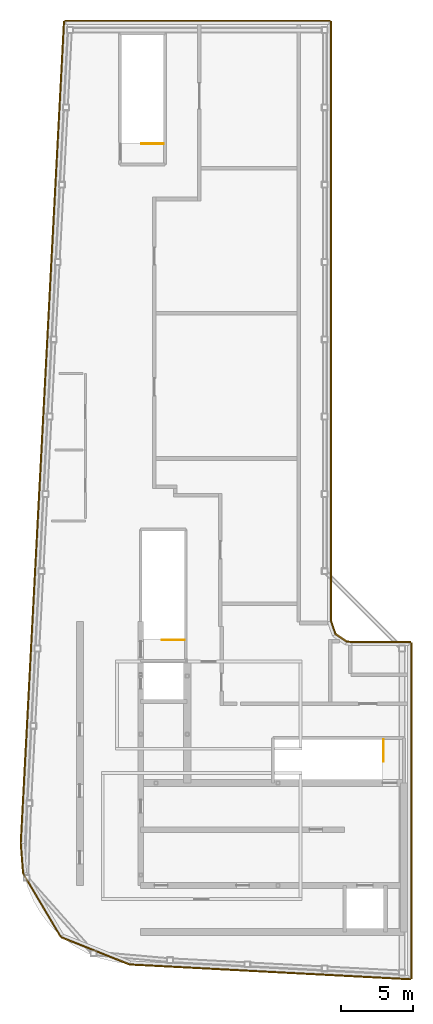
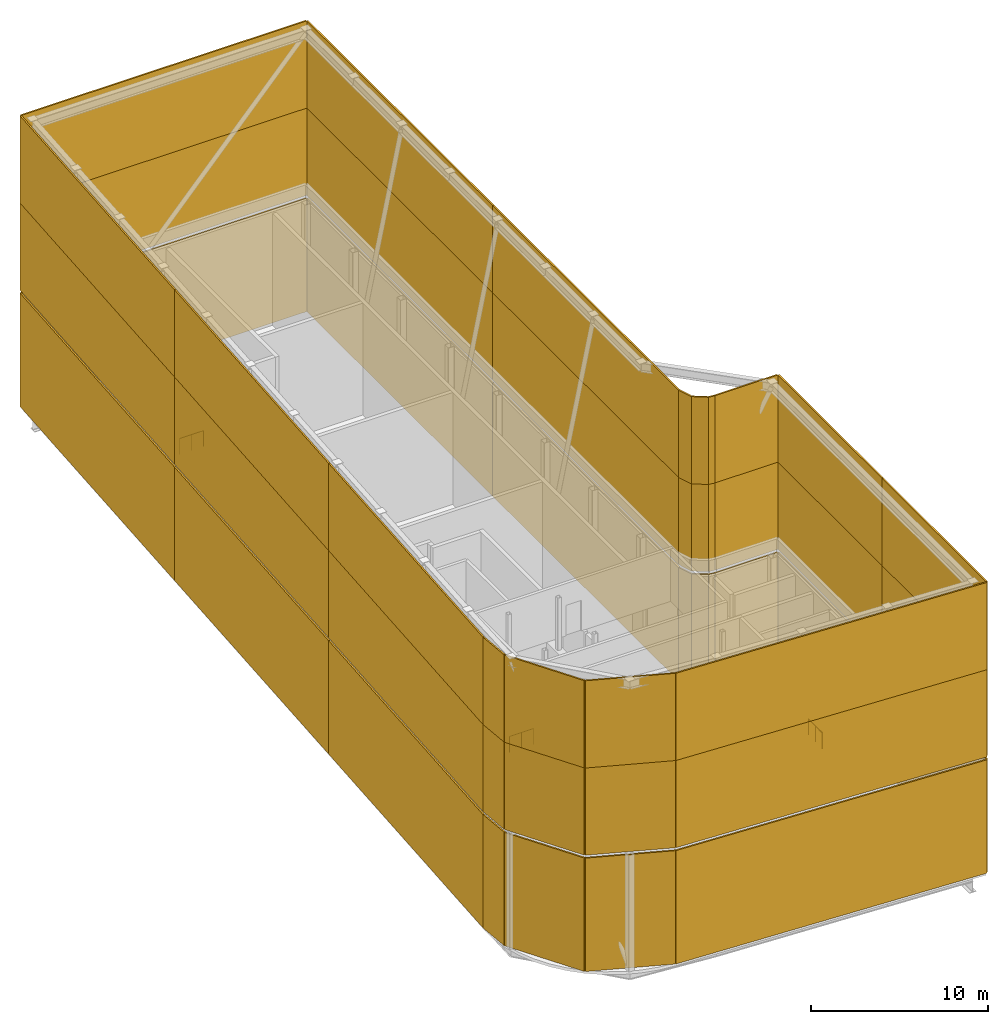
# One storey, part 7 of 7: 48 shading devices, 3 railings.
"""IFC4 building model written with IfcOpenShell, lengths in metres."""

from ifc_helpers import new_model, si_unit, direction, frame, origin, origin_2d, place, context, subcontext, project, spatial, rectangle, circle, extrude, material, layer, layer_set, type_object, element, save


model = new_model("IFC4")

# Units and contexts
model_context = context("Model", 3, precision=1e-05, world=origin(), true_north=direction((0.0, 1.0)))
body_context = subcontext(model_context, "Body", "Model", "MODEL_VIEW")
ifc_project = project(units=[si_unit("LENGTHUNIT", "METRE"), si_unit("AREAUNIT", "SQUARE_METRE"), si_unit("VOLUMEUNIT", "CUBIC_METRE"), si_unit("PLANEANGLEUNIT", "RADIAN"), si_unit("MASSUNIT", "GRAM", prefix="KILO")], contexts=[model_context])

# Site, building, storey
site_placement = place(None, origin())
site = spatial("IfcSite", under=ifc_project, at=site_placement, CompositionType="ELEMENT")
building_placement = place(site_placement, origin())
building = spatial("IfcBuilding", under=site, at=building_placement, Name="Kheshtan School and Residences Tower", CompositionType="ELEMENT")
storey_placement = place(building_placement, frame((0.0, 0.0, 404.800048828125)))
storey = spatial("IfcBuildingStorey", under=building, at=storey_placement, Name="L94", CompositionType="ELEMENT", Elevation=404.800048828125)

# Shading devices
ifc_material_1 = material(Name="Terracotta lattice, extruded ceramic", Category="masonry")
ifc_layer_1 = layer(ifc_material_1, 0.10009765625)
ifc_layer_set_1 = layer_set([ifc_layer_1], Name="Crown screen, perforated terracotta")
shading_device_type_1 = type_object("IfcShadingDeviceType", Name="Crown screen, perforated terracotta", PredefinedType="USERDEFINED", material=ifc_layer_set_1)
for number, where, z_axis, x_axis, name in (
    (1, (48.201904296875, 47.06005859375, 8.0), (0.0, 0.0, 1.0), (0.321505572714, -0.946907686479, 0.0), "Crown screen 1.1.1"),
    (2, (48.201904296875, 47.06005859375, 14.0), (0.0, 0.0, 1.0), (0.321505572714, -0.946907686479, 0.0), "Crown screen 1.1.2"),
):
    element("IfcShadingDevice", number, at=place(storey_placement, frame(where, z_axis=z_axis, x_axis=x_axis)), inside=storey, type_object=shading_device_type_1, Name=name, ObjectType="SCREEN", PredefinedType="USERDEFINED", context=body_context, shape_type="SweptSolid", body=[
        extrude(rectangle(XDim=0.964111328125, YDim=0.10009765625, at=origin_2d()), origin(), (0.0, 0.0, 1.0), 6.0),
    ])
for number, where, z_axis, x_axis, name in (
    (3, (48.739013671875, 46.361083984375, 8.0), (0.0, 0.0, 1.0), (0.831411428565, -0.555657301267, 0.0), "Crown screen 2.1.1"),
    (4, (48.739013671875, 46.361083984375, 14.0), (0.0, 0.0, 1.0), (0.831411428565, -0.555657301267, 0.0), "Crown screen 2.1.2"),
):
    element("IfcShadingDevice", number, at=place(storey_placement, frame(where, z_axis=z_axis, x_axis=x_axis)), inside=storey, type_object=shading_device_type_1, Name=name, ObjectType="SCREEN", PredefinedType="USERDEFINED", context=body_context, shape_type="SweptSolid", body=[
        extrude(rectangle(XDim=0.965087890625, YDim=0.10009765625, at=origin_2d()), origin(), (0.0, 0.0, 1.0), 6.0),
    ])
for number, where, z_axis, x_axis, name in (
    (5, (49.31298828125, 46.074951171875, 8.0), (0.0, 0.0, 1.0), (0.991472176971, -0.130318541633, 0.0), "Crown screen 3.1.1"),
    (6, (49.31298828125, 46.074951171875, 14.0), (0.0, 0.0, 1.0), (0.991472176971, -0.130318541633, 0.0), "Crown screen 3.1.2"),
):
    element("IfcShadingDevice", number, at=place(storey_placement, frame(where, z_axis=z_axis, x_axis=x_axis)), inside=storey, type_object=shading_device_type_1, Name=name, ObjectType="SCREEN", PredefinedType="USERDEFINED", context=body_context, shape_type="SweptSolid", body=[
        extrude(rectangle(XDim=0.39111328125, YDim=0.10009765625, at=origin_2d()), origin(), (0.0, 0.0, 1.0), 6.0),
    ])
for number, where, z_axis, x_axis, name in (
    (7, (51.550048828125, 46.050048828125, 8.0), (0.0, 0.0, 1.0), (1.0, 0.0, 0.0), "Crown screen 4.1.1"),
    (8, (51.550048828125, 46.050048828125, 14.0), (0.0, 0.0, 1.0), (1.0, 0.0, 0.0), "Crown screen 4.1.2"),
):
    element("IfcShadingDevice", number, at=place(storey_placement, frame(where, z_axis=z_axis, x_axis=x_axis)), inside=storey, type_object=shading_device_type_1, Name=name, ObjectType="SCREEN", PredefinedType="USERDEFINED", context=body_context, shape_type="SweptSolid", body=[
        extrude(rectangle(XDim=4.10009765625, YDim=0.10009765625, at=origin_2d()), origin(), (0.0, 0.0, 1.0), 6.0),
    ])
for number, where, z_axis, x_axis, name in (
    (9, (53.64990234375, 40.136962890625, 8.0), (0.0, 0.0, 1.0), (0.0, -1.0, 0.0), "Crown screen 5.1.1"),
    (10, (53.64990234375, 40.136962890625, 14.0), (0.0, 0.0, 1.0), (0.0, -1.0, 0.0), "Crown screen 5.1.2"),
):
    element("IfcShadingDevice", number, at=place(storey_placement, frame(where, z_axis=z_axis, x_axis=x_axis)), inside=storey, type_object=shading_device_type_1, Name=name, ObjectType="SCREEN", PredefinedType="USERDEFINED", context=body_context, shape_type="SweptSolid", body=[
        extrude(rectangle(XDim=11.72705078125, YDim=0.10009765625, at=origin_2d()), origin(), (0.0, 0.0, 1.0), 6.0),
    ])
for number, where, z_axis, x_axis, name in (
    (11, (53.64990234375, 28.409912109375, 8.0), (0.0, 0.0, 1.0), (0.0, -1.0, 0.0), "Crown screen 5.2.1"),
    (12, (53.64990234375, 28.409912109375, 14.0), (0.0, 0.0, 1.0), (0.0, -1.0, 0.0), "Crown screen 5.2.2"),
):
    element("IfcShadingDevice", number, at=place(storey_placement, frame(where, z_axis=z_axis, x_axis=x_axis)), inside=storey, type_object=shading_device_type_1, Name=name, ObjectType="SCREEN", PredefinedType="USERDEFINED", context=body_context, shape_type="SweptSolid", body=[
        extrude(rectangle(XDim=11.72607421875, YDim=0.10009765625, at=origin_2d()), origin(), (0.0, 0.0, 1.0), 6.0),
    ])
for number, where, z_axis, x_axis, name in (
    (13, (43.7919921875, 23.013916015625, 8.0), (0.0, 0.0, 1.0), (-0.998615799011, 0.052597395047, 0.0), "Crown screen 6.1.1"),
    (14, (43.7919921875, 23.013916015625, 14.0), (0.0, 0.0, 1.0), (-0.998615799011, 0.052597395047, 0.0), "Crown screen 6.1.2"),
):
    element("IfcShadingDevice", number, at=place(storey_placement, frame(where, z_axis=z_axis, x_axis=x_axis)), inside=storey, type_object=shading_device_type_1, Name=name, ObjectType="SCREEN", PredefinedType="USERDEFINED", context=body_context, shape_type="SweptSolid", body=[
        extrude(rectangle(XDim=19.637939453125, YDim=0.10009765625, at=origin_2d()), origin(), (0.0, 0.0, 1.0), 6.0),
    ])
for number, where, z_axis, x_axis, name in (
    (15, (31.58203125, 24.487060546875, 8.0), (0.0, 0.0, 1.0), (-0.928796617411, 0.370589858854, 0.0), "Crown screen 7.1.1"),
    (16, (31.58203125, 24.487060546875, 14.0), (0.0, 0.0, 1.0), (-0.928796617411, 0.370589858854, 0.0), "Crown screen 7.1.2"),
    (17, (27.85498046875, 27.6708984375, 8.0), (0.0, 0.0, 1.0), (-0.51097806284, 0.859593752476, 0.0), "Crown screen 8.1.1"),
    (18, (27.85498046875, 27.6708984375, 14.0), (0.0, 0.0, 1.0), (-0.51097806284, 0.859593752476, 0.0), "Crown screen 8.1.2"),
):
    element("IfcShadingDevice", number, at=place(storey_placement, frame(where, z_axis=z_axis, x_axis=x_axis)), inside=storey, type_object=shading_device_type_1, Name=name, ObjectType="SCREEN", PredefinedType="USERDEFINED", context=body_context, shape_type="SweptSolid", body=[
        extrude(rectangle(XDim=5.14306640625, YDim=0.10009765625, at=origin_2d()), origin(), (0.0, 0.0, 1.0), 6.0),
    ])
for number, where, z_axis, x_axis, name in (
    (19, (26.451904296875, 30.944091796875, 8.0), (0.0, 0.0, 1.0), (-0.078528693496, 0.996911853826, 0.0), "Crown screen 9.1.1"),
    (20, (26.451904296875, 30.944091796875, 14.0), (0.0, 0.0, 1.0), (-0.078528693496, 0.996911853826, 0.0), "Crown screen 9.1.2"),
):
    element("IfcShadingDevice", number, at=place(storey_placement, frame(where, z_axis=z_axis, x_axis=x_axis)), inside=storey, type_object=shading_device_type_1, Name=name, ObjectType="SCREEN", PredefinedType="USERDEFINED", context=body_context, shape_type="SweptSolid", body=[
        extrude(rectangle(XDim=2.087890625, YDim=0.10009765625, at=origin_2d()), origin(), (0.0, 0.0, 1.0), 6.0),
    ])
for number, where, z_axis, x_axis, name in (
    (21, (26.8740234375, 41.56005859375, 8.0), (0.0, 0.0, 1.0), (0.052562536748, 0.998617634398, 0.0), "Crown screen 10.1.1"),
    (22, (26.8740234375, 41.56005859375, 14.0), (0.0, 0.0, 1.0), (0.052562536748, 0.998617634398, 0.0), "Crown screen 10.1.2"),
    (23, (27.881103515625, 60.697021484375, 8.0), (0.0, 0.0, 1.0), (0.052562536748, 0.998617634398, 0.0), "Crown screen 10.2.1"),
    (24, (27.881103515625, 60.697021484375, 14.0), (0.0, 0.0, 1.0), (0.052562536748, 0.998617634398, 0.0), "Crown screen 10.2.2"),
    (25, (28.887939453125, 79.833984375, 8.0), (0.0, 0.0, 1.0), (0.052562536748, 0.998617634398, 0.0), "Crown screen 10.3.1"),
    (26, (28.887939453125, 79.833984375, 14.0), (0.0, 0.0, 1.0), (0.052562536748, 0.998617634398, 0.0), "Crown screen 10.3.2"),
):
    element("IfcShadingDevice", number, at=place(storey_placement, frame(where, z_axis=z_axis, x_axis=x_axis)), inside=storey, type_object=shading_device_type_1, Name=name, ObjectType="SCREEN", PredefinedType="USERDEFINED", context=body_context, shape_type="SweptSolid", body=[
        extrude(rectangle(XDim=19.1630859375, YDim=0.10009765625, at=origin_2d()), origin(), (0.0, 0.0, 1.0), 6.0),
    ])
for number, where, z_axis, x_axis, name in (
    (27, (38.720947265625, 89.449951171875, 8.0), (0.0, 0.0, 1.0), (1.0, 0.0, 0.0), "Crown screen 11.1.1"),
    (28, (38.720947265625, 89.449951171875, 14.0), (0.0, 0.0, 1.0), (1.0, 0.0, 0.0), "Crown screen 11.1.2"),
):
    element("IfcShadingDevice", number, at=place(storey_placement, frame(where, z_axis=z_axis, x_axis=x_axis)), inside=storey, type_object=shading_device_type_1, Name=name, ObjectType="SCREEN", PredefinedType="USERDEFINED", context=body_context, shape_type="SweptSolid", body=[
        extrude(rectangle(XDim=18.55810546875, YDim=0.10009765625, at=origin_2d()), origin(), (0.0, 0.0, 1.0), 6.0),
    ])
for number, where, z_axis, x_axis, name in (
    (29, (48.050048828125, 78.925048828125, 8.0), (0.0, 0.0, 1.0), (0.0, -1.0, 0.0), "Crown screen 12.1.1"),
    (30, (48.050048828125, 78.925048828125, 14.0), (0.0, 0.0, 1.0), (0.0, -1.0, 0.0), "Crown screen 12.1.2"),
    (31, (48.050048828125, 57.97509765625, 8.0), (0.0, 0.0, 1.0), (0.0, -1.0, 0.0), "Crown screen 12.2.1"),
    (32, (48.050048828125, 57.97509765625, 14.0), (0.0, 0.0, 1.0), (0.0, -1.0, 0.0), "Crown screen 12.2.2"),
):
    element("IfcShadingDevice", number, at=place(storey_placement, frame(where, z_axis=z_axis, x_axis=x_axis)), inside=storey, type_object=shading_device_type_1, Name=name, ObjectType="SCREEN", PredefinedType="USERDEFINED", context=body_context, shape_type="SweptSolid", body=[
        extrude(rectangle(XDim=20.949951171875, YDim=0.10009765625, at=origin_2d()), origin(), (0.0, 0.0, 1.0), 6.0),
    ])
ifc_material_2 = material(Name="Terracotta louvre blades", Category="masonry")
ifc_layer_2 = layer(ifc_material_2, 0.10009765625)
ifc_layer_set_2 = layer_set([ifc_layer_2], Name="Plant louvre screen")
shading_device_type_2 = type_object("IfcShadingDeviceType", Name="Plant louvre screen", PredefinedType="JALOUSIE", material=ifc_layer_set_2)
shading_device_1_placement = place(storey_placement, frame((48.201904296875, 47.06005859375, 0.0), z_axis=(0.0, 0.0, 1.0), x_axis=(0.321505572714, -0.946907686479, 0.0)))
element("IfcShadingDevice", 33, at=shading_device_1_placement, inside=storey, type_object=shading_device_type_2, Name="Plant louvre L94 1.1", PredefinedType="JALOUSIE", context=body_context, shape_type="SweptSolid", body=[
    extrude(rectangle(XDim=0.964111328125, YDim=0.10009765625, at=origin_2d()), origin(), (0.0, 0.0, 1.0), 7.800048828125),
])
shading_device_2_placement = place(storey_placement, frame((48.739013671875, 46.361083984375, 0.0), z_axis=(0.0, 0.0, 1.0), x_axis=(0.831411428565, -0.555657301267, 0.0)))
element("IfcShadingDevice", 34, at=shading_device_2_placement, inside=storey, type_object=shading_device_type_2, Name="Plant louvre L94 2.1", PredefinedType="JALOUSIE", context=body_context, shape_type="SweptSolid", body=[
    extrude(rectangle(XDim=0.965087890625, YDim=0.10009765625, at=origin_2d()), origin(), (0.0, 0.0, 1.0), 7.800048828125),
])
shading_device_3_placement = place(storey_placement, frame((49.31298828125, 46.074951171875, 0.0), z_axis=(0.0, 0.0, 1.0), x_axis=(0.991472176971, -0.130318541633, 0.0)))
element("IfcShadingDevice", 35, at=shading_device_3_placement, inside=storey, type_object=shading_device_type_2, Name="Plant louvre L94 3.1", PredefinedType="JALOUSIE", context=body_context, shape_type="SweptSolid", body=[
    extrude(rectangle(XDim=0.39111328125, YDim=0.10009765625, at=origin_2d()), origin(), (0.0, 0.0, 1.0), 7.800048828125),
])
shading_device_4_placement = place(storey_placement, frame((51.550048828125, 46.050048828125, 0.0), z_axis=(0.0, 0.0, 1.0), x_axis=(1.0, 0.0, 0.0)))
element("IfcShadingDevice", 36, at=shading_device_4_placement, inside=storey, type_object=shading_device_type_2, Name="Plant louvre L94 4.1", PredefinedType="JALOUSIE", context=body_context, shape_type="SweptSolid", body=[
    extrude(rectangle(XDim=4.10009765625, YDim=0.10009765625, at=origin_2d()), origin(), (0.0, 0.0, 1.0), 7.800048828125),
])
shading_device_5_placement = place(storey_placement, frame((53.64990234375, 40.136962890625, 0.0), z_axis=(0.0, 0.0, 1.0), x_axis=(0.0, -1.0, 0.0)))
element("IfcShadingDevice", 37, at=shading_device_5_placement, inside=storey, type_object=shading_device_type_2, Name="Plant louvre L94 5.1", PredefinedType="JALOUSIE", context=body_context, shape_type="SweptSolid", body=[
    extrude(rectangle(XDim=11.72705078125, YDim=0.10009765625, at=origin_2d()), origin(), (0.0, 0.0, 1.0), 7.800048828125),
])
shading_device_6_placement = place(storey_placement, frame((53.64990234375, 28.409912109375, 0.0), z_axis=(0.0, 0.0, 1.0), x_axis=(0.0, -1.0, 0.0)))
element("IfcShadingDevice", 38, at=shading_device_6_placement, inside=storey, type_object=shading_device_type_2, Name="Plant louvre L94 5.2", PredefinedType="JALOUSIE", context=body_context, shape_type="SweptSolid", body=[
    extrude(rectangle(XDim=11.72607421875, YDim=0.10009765625, at=origin_2d()), origin(), (0.0, 0.0, 1.0), 7.800048828125),
])
shading_device_7_placement = place(storey_placement, frame((43.7919921875, 23.013916015625, 0.0), z_axis=(0.0, 0.0, 1.0), x_axis=(-0.998615799011, 0.052597395047, 0.0)))
element("IfcShadingDevice", 39, at=shading_device_7_placement, inside=storey, type_object=shading_device_type_2, Name="Plant louvre L94 6.1", PredefinedType="JALOUSIE", context=body_context, shape_type="SweptSolid", body=[
    extrude(rectangle(XDim=19.637939453125, YDim=0.10009765625, at=origin_2d()), origin(), (0.0, 0.0, 1.0), 7.800048828125),
])
for number, where, z_axis, x_axis, name in (
    (40, (31.58203125, 24.487060546875, 0.0), (0.0, 0.0, 1.0), (-0.928796617411, 0.370589858854, 0.0), "Plant louvre L94 7.1"),
    (41, (27.85498046875, 27.6708984375, 0.0), (0.0, 0.0, 1.0), (-0.51097806284, 0.859593752476, 0.0), "Plant louvre L94 8.1"),
):
    element("IfcShadingDevice", number, at=place(storey_placement, frame(where, z_axis=z_axis, x_axis=x_axis)), inside=storey, type_object=shading_device_type_2, Name=name, PredefinedType="JALOUSIE", context=body_context, shape_type="SweptSolid", body=[
        extrude(rectangle(XDim=5.14306640625, YDim=0.10009765625, at=origin_2d()), origin(), (0.0, 0.0, 1.0), 7.800048828125),
    ])
shading_device_8_placement = place(storey_placement, frame((26.451904296875, 30.944091796875, 0.0), z_axis=(0.0, 0.0, 1.0), x_axis=(-0.078528693496, 0.996911853826, 0.0)))
element("IfcShadingDevice", 42, at=shading_device_8_placement, inside=storey, type_object=shading_device_type_2, Name="Plant louvre L94 9.1", PredefinedType="JALOUSIE", context=body_context, shape_type="SweptSolid", body=[
    extrude(rectangle(XDim=2.087890625, YDim=0.10009765625, at=origin_2d()), origin(), (0.0, 0.0, 1.0), 7.800048828125),
])
for number, where, z_axis, x_axis, name in (
    (43, (26.8740234375, 41.56005859375, 0.0), (0.0, 0.0, 1.0), (0.052562536748, 0.998617634398, 0.0), "Plant louvre L94 10.1"),
    (44, (27.881103515625, 60.697021484375, 0.0), (0.0, 0.0, 1.0), (0.052562536748, 0.998617634398, 0.0), "Plant louvre L94 10.2"),
    (45, (28.887939453125, 79.833984375, 0.0), (0.0, 0.0, 1.0), (0.052562536748, 0.998617634398, 0.0), "Plant louvre L94 10.3"),
):
    element("IfcShadingDevice", number, at=place(storey_placement, frame(where, z_axis=z_axis, x_axis=x_axis)), inside=storey, type_object=shading_device_type_2, Name=name, PredefinedType="JALOUSIE", context=body_context, shape_type="SweptSolid", body=[
        extrude(rectangle(XDim=19.1630859375, YDim=0.10009765625, at=origin_2d()), origin(), (0.0, 0.0, 1.0), 7.800048828125),
    ])
shading_device_9_placement = place(storey_placement, frame((38.720947265625, 89.449951171875, 0.0), z_axis=(0.0, 0.0, 1.0), x_axis=(1.0, 0.0, 0.0)))
element("IfcShadingDevice", 46, at=shading_device_9_placement, inside=storey, type_object=shading_device_type_2, Name="Plant louvre L94 11.1", PredefinedType="JALOUSIE", context=body_context, shape_type="SweptSolid", body=[
    extrude(rectangle(XDim=18.55810546875, YDim=0.10009765625, at=origin_2d()), origin(), (0.0, 0.0, 1.0), 7.800048828125),
])
for number, where, z_axis, x_axis, name in (
    (47, (48.050048828125, 78.925048828125, 0.0), (0.0, 0.0, 1.0), (0.0, -1.0, 0.0), "Plant louvre L94 12.1"),
    (48, (48.050048828125, 57.97509765625, 0.0), (0.0, 0.0, 1.0), (0.0, -1.0, 0.0), "Plant louvre L94 12.2"),
):
    element("IfcShadingDevice", number, at=place(storey_placement, frame(where, z_axis=z_axis, x_axis=x_axis)), inside=storey, type_object=shading_device_type_2, Name=name, PredefinedType="JALOUSIE", context=body_context, shape_type="SweptSolid", body=[
        extrude(rectangle(XDim=20.949951171875, YDim=0.10009765625, at=origin_2d()), origin(), (0.0, 0.0, 1.0), 7.800048828125),
    ])

# Railings
ifc_material_3 = material(Name="Stainless steel balustrade", Category="steel")
railing_type = type_object("IfcRailingType", Name="Stair guard 1100", PredefinedType="GUARDRAIL", material=ifc_material_3)
railing_placement = place(storey_placement, frame((51.699951171875, 39.25, 0.0)))
element("IfcRailing", 49, at=railing_placement, inside=storey, type_object=railing_type, Name="L94 ST1 top well guard 1", PredefinedType="GUARDRAIL", context=body_context, shape_type="SweptSolid", body=[
    extrude(circle(Radius=0.02392578125, at=origin_2d()), frame((0.0, 0.0, 1.076171875), z_axis=(0.0, -1.0, 0.0), x_axis=(1.0, 0.0, 0.0)), (0.0, 0.0, 1.0), 1.550048828125),
    extrude(circle(Radius=0.02099609375, at=origin_2d()), origin(), (0.0, 0.0, 1.0), 1.052001953125),
    extrude(circle(Radius=0.02099609375, at=origin_2d()), frame((0.0, -0.77490234375, 0.0)), (0.0, 0.0, 1.0), 1.052001953125),
    extrude(circle(Radius=0.02099609375, at=origin_2d()), frame((0.0, -1.550048828125, 0.0)), (0.0, 0.0, 1.0), 1.052001953125),
])
for number, where, name in (
    (50, (37.800048828125, 46.199951171875, 0.0), "L94 ST2 top well guard 1"),
    (51, (36.35009765625, 80.85009765625, 0.0), "L94 ST3 top well guard 1"),
):
    element("IfcRailing", number, at=place(storey_placement, frame(where)), inside=storey, type_object=railing_type, Name=name, PredefinedType="GUARDRAIL", context=body_context, shape_type="SweptSolid", body=[
        extrude(circle(Radius=0.02392578125, at=origin_2d()), frame((0.0, 0.0, 1.076171875), z_axis=(-1.0, 0.0, 0.0), x_axis=(0.0, -1.0, 0.0)), (0.0, 0.0, 1.0), 1.550048828125),
        extrude(circle(Radius=0.02099609375, at=origin_2d()), origin(), (0.0, 0.0, 1.0), 1.052001953125),
        extrude(circle(Radius=0.02099609375, at=origin_2d()), frame((-0.77490234375, 0.0, 0.0)), (0.0, 0.0, 1.0), 1.052001953125),
        extrude(circle(Radius=0.02099609375, at=origin_2d()), frame((-1.550048828125, 0.0, 0.0)), (0.0, 0.0, 1.0), 1.052001953125),
    ])

save(model, "model.ifc")
